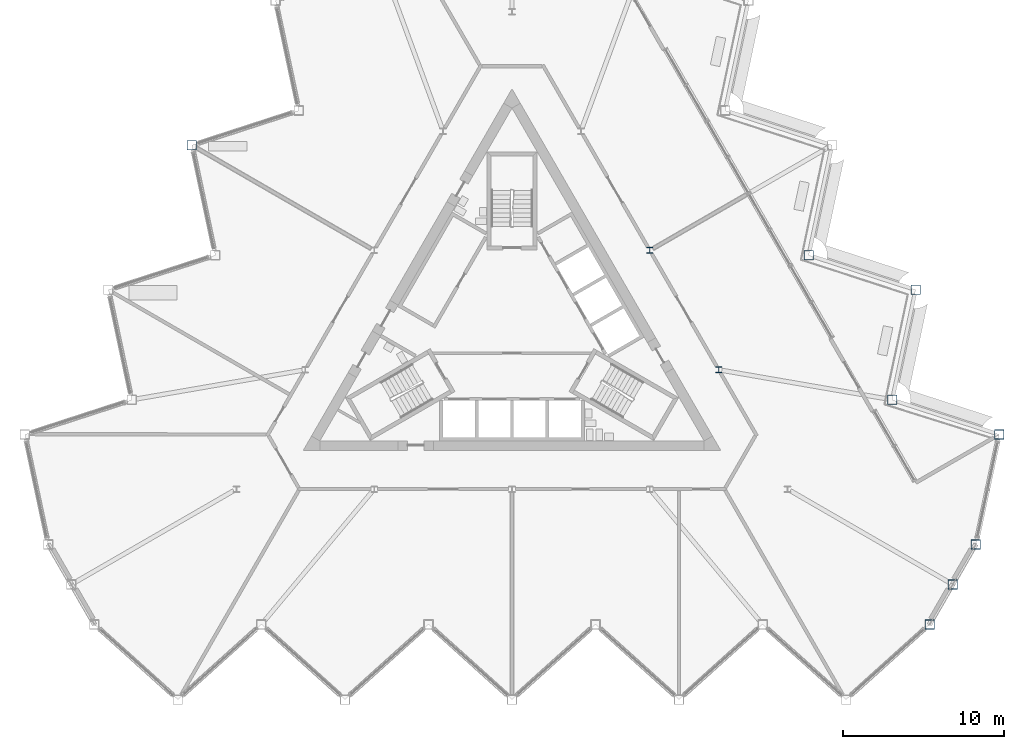
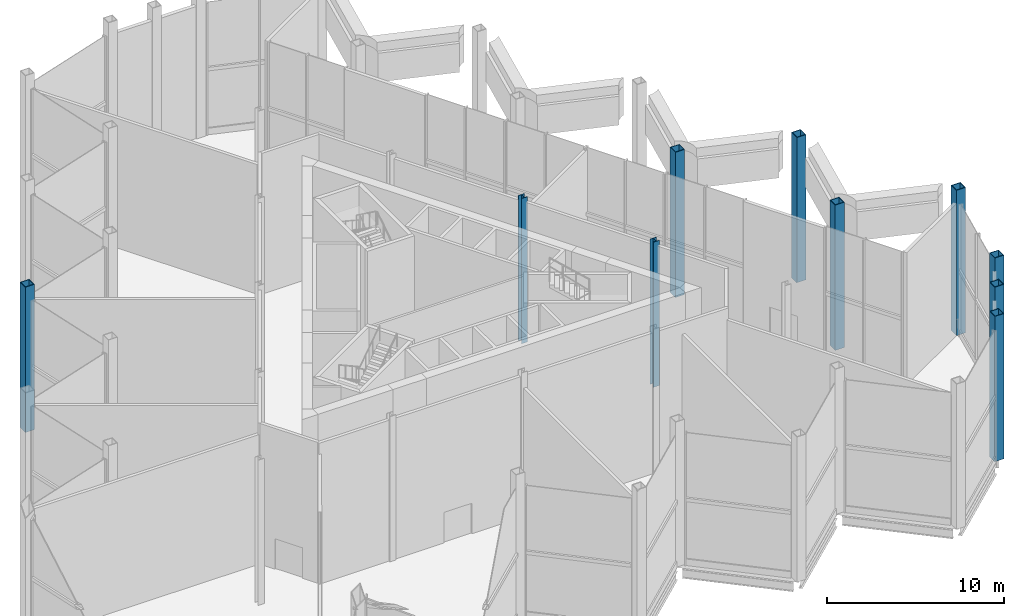
# One storey, part 2 of 18: 10 columns.
"""IFC4 building model written with IfcOpenShell, lengths in metres."""

from ifc_helpers import new_model, si_unit, direction, frame, origin, origin_2d, place, context, subcontext, project, spatial, hollow_rectangle, i_section, extrude, material, material_profile, profile_set, type_object, element, save


model = new_model("IFC4")

# Units and contexts
model_context = context("Model", 3, precision=1e-05, world=origin(), true_north=direction((0.0, 1.0)))
body_context = subcontext(model_context, "Body", "Model", "MODEL_VIEW")
ifc_project = project(units=[si_unit("LENGTHUNIT", "METRE"), si_unit("AREAUNIT", "SQUARE_METRE"), si_unit("VOLUMEUNIT", "CUBIC_METRE"), si_unit("PLANEANGLEUNIT", "RADIAN"), si_unit("MASSUNIT", "GRAM", prefix="KILO")], contexts=[model_context])

# Site, building, storey
site_placement = place(None, origin())
site = spatial("IfcSite", under=ifc_project, at=site_placement, CompositionType="ELEMENT")
building_placement = place(site_placement, origin())
building = spatial("IfcBuilding", under=site, at=building_placement, Name="Cormorant Prow Tower", CompositionType="ELEMENT")
storey_placement = place(building_placement, frame((0.0, 0.0, 346.0)))
storey = spatial("IfcBuildingStorey", under=building, at=storey_placement, Name="L78", CompositionType="ELEMENT", Elevation=346.0)

# Columns
ifc_material_1 = material(Name="Structural steel ASTM A572 Gr 50", Category="steel")
ifc_material_profile_1 = material_profile(ifc_material_1, hollow_rectangle(XDim=0.60009765625, YDim=0.60009765625, WallThickness=0.0400390625, at=origin_2d()), Name="Box 600x600x40")
ifc_profile_set_1 = profile_set([ifc_material_profile_1], Name="Structural steel ASTM A572 Gr 50")
column_type_1 = type_object("IfcColumnType", Name="Perimeter box column 600x600x40", PredefinedType="COLUMN", material=ifc_profile_set_1)
for number, where, z_axis, x_axis, name in (
    (1, (25.995361328125, -18.326904296875, 0.0), (0.0, 0.0, 1.0), (1.0, 0.0, 0.0), "Perimeter column C6 at ESE00 L78"),
    (2, (27.432373046875, -15.838134765625, 0.0), (0.0, 0.0, 1.0), (1.0, 0.0, 0.0), "Perimeter column C6 at ESE01 L78"),
    (3, (28.869140625, -13.349365234375, 0.0), (0.0, 0.0, 1.0), (1.0, 0.0, 0.0), "Perimeter column C6 at ENE00 L78"),
    (4, (30.32373046875, -6.506103515625, 0.0), (0.0, 0.0, 1.0), (1.0, 0.0, 0.0), "Perimeter column C6 at ENE01 L78"),
    (5, (23.670166015625, -4.34423828125, 0.0), (0.0, 0.0, 1.0), (1.0, 0.0, 0.0), "Perimeter column C6 at ENE02 L78"),
    (6, (25.124755859375, 2.4990234375, 0.0), (0.0, 0.0, 1.0), (1.0, 0.0, 0.0), "Perimeter column C6 at ENE03 L78"),
    (7, (18.470947265625, 4.660888671875, 0.0), (0.0, 0.0, 1.0), (1.0, 0.0, 0.0), "Perimeter column C6 at ENE04 L78"),
    (8, (-19.925537109375, 11.504150390625, 0.0), (0.0, 0.0, 1.0), (1.0, 0.0, 0.0), "Perimeter column C6 at WNW05 L78"),
):
    element("IfcColumn", number, at=place(storey_placement, frame(where, z_axis=z_axis, x_axis=x_axis)), inside=storey, type_object=column_type_1, Name=name, PredefinedType="COLUMN", context=body_context, shape_type="SweptSolid", body=[
        extrude(hollow_rectangle(XDim=0.60009765625, YDim=0.60009765625, WallThickness=0.0400390625, at=origin_2d()), origin(), (0.0, 0.0, 1.0), 10.0),
    ])
ifc_material_2 = material(Name="Structural steel ASTM A992 Gr 50", Category="steel")
ifc_material_profile_2 = material_profile(ifc_material_2, i_section(OverallWidth=0.3955078125, OverallDepth=0.380615234375, WebThickness=0.018798828125, FlangeThickness=0.0302734375, at=origin_2d()), Name="W14x159")
ifc_profile_set_2 = profile_set([ifc_material_profile_2], Name="Structural steel ASTM A992 Gr 50")
column_type_2 = type_object("IfcColumnType", Name="Ring column W14x159", PredefinedType="COLUMN", material=ifc_profile_set_2)
for number, where, z_axis, x_axis, name in (
    (9, (12.86767578125, -2.476318359375, 0.0), (0.0, 0.0, 1.0), (1.0, 0.0, 0.0), "Ring column 10 L78"),
    (10, (8.578369140625, 4.952880859375, 0.0), (0.0, 0.0, 1.0), (1.0, 0.0, 0.0), "Ring column 11 L78"),
):
    element("IfcColumn", number, at=place(storey_placement, frame(where, z_axis=z_axis, x_axis=x_axis)), inside=storey, type_object=column_type_2, Name=name, PredefinedType="COLUMN", context=body_context, shape_type="SweptSolid", body=[
        extrude(i_section(OverallWidth=0.3955078125, OverallDepth=0.380615234375, WebThickness=0.018798828125, FlangeThickness=0.0302734375, at=origin_2d()), origin(), (0.0, 0.0, 1.0), 10.0),
    ])

save(model, "model.ifc")
